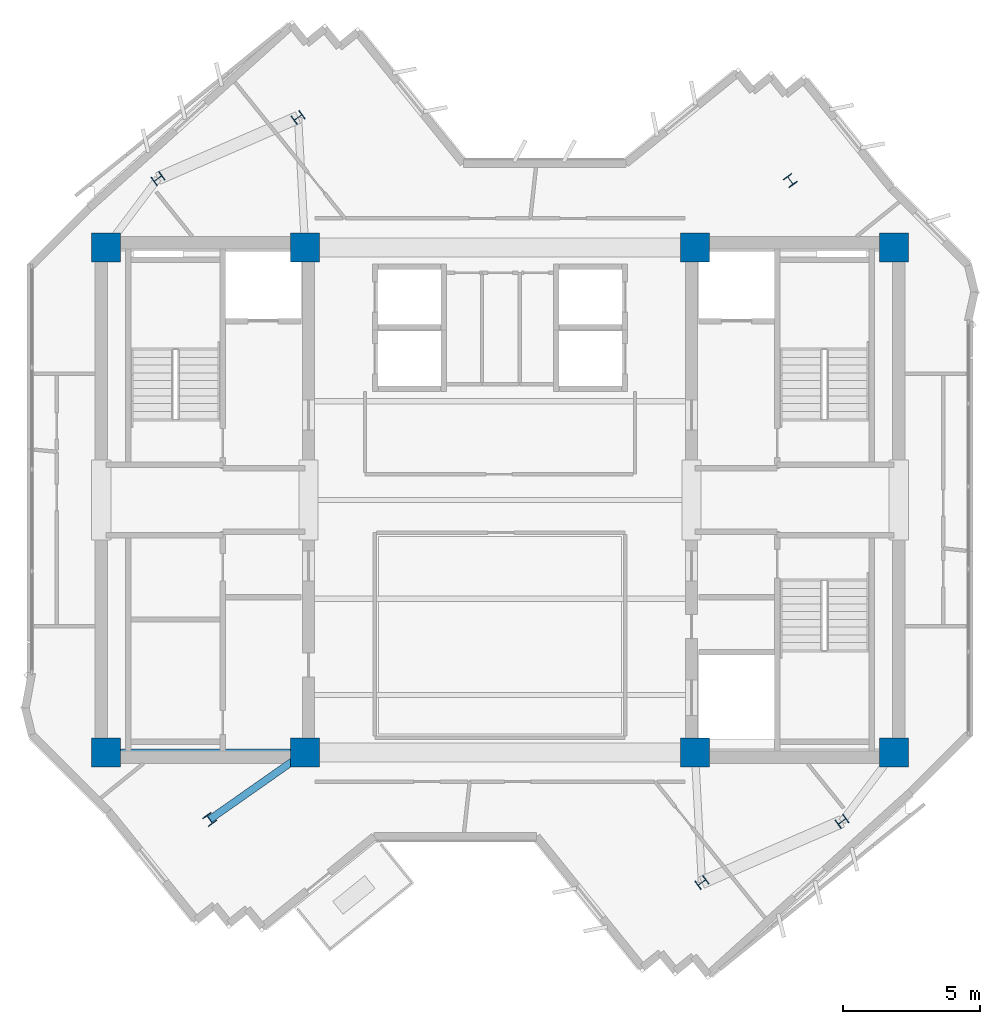
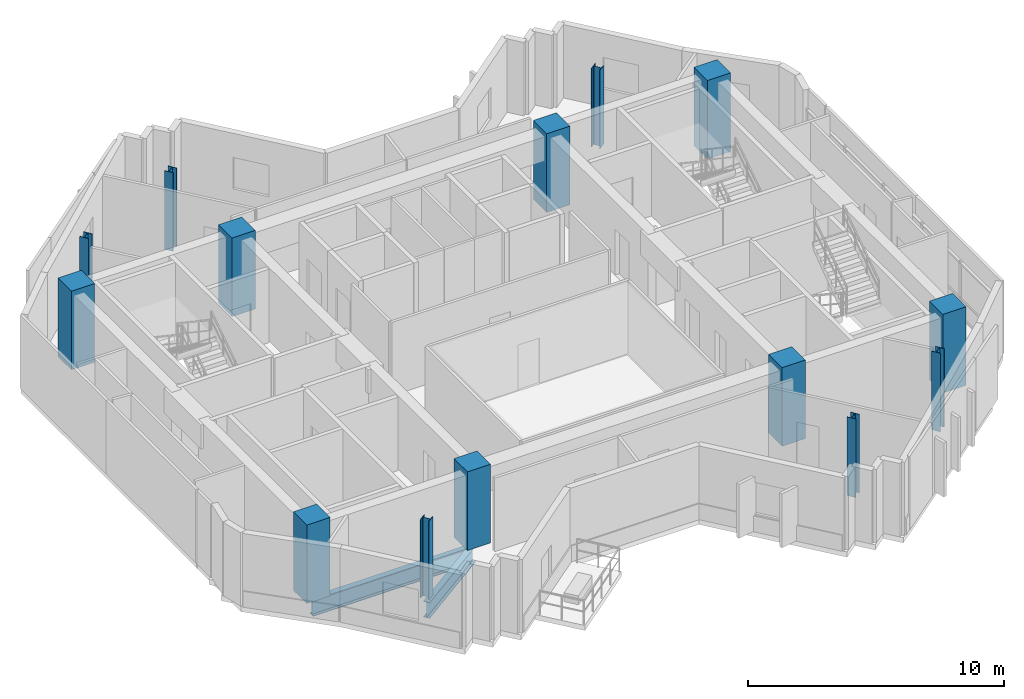
# One storey, part 1 of 11: 14 columns, 2 beams.
"""IFC4 building model written with IfcOpenShell, lengths in metres."""

from ifc_helpers import new_model, si_unit, direction, frame, origin, origin_2d, place, context, subcontext, project, spatial, rectangle, i_section, extrude, source, transform, mapped, material, material_profile, profile_set, type_object, element, save


model = new_model("IFC4")

# Units and contexts
model_context = context("Model", 3, precision=1e-05, world=origin(), true_north=direction((0.0, 1.0)))
body_context = subcontext(model_context, "Body", "Model", "MODEL_VIEW")
ifc_project = project(units=[si_unit("LENGTHUNIT", "METRE"), si_unit("AREAUNIT", "SQUARE_METRE"), si_unit("VOLUMEUNIT", "CUBIC_METRE"), si_unit("PLANEANGLEUNIT", "RADIAN"), si_unit("MASSUNIT", "GRAM", prefix="KILO")], contexts=[model_context])

# Site, building, storey
site_placement = place(None, origin())
site = spatial("IfcSite", under=ifc_project, at=site_placement, CompositionType="ELEMENT")
building_placement = place(site_placement, origin())
building = spatial("IfcBuilding", under=site, at=building_placement, Name="Zahravan Cultural Tower", CompositionType="ELEMENT")
storey_placement = place(building_placement, frame((0.0, 0.0, 284.10009765625)))
storey = spatial("IfcBuildingStorey", under=building, at=storey_placement, Name="L68", CompositionType="ELEMENT", Elevation=284.10009765625)

# Columns
ifc_material_1 = material(Name="Concrete C50/60", Category="concrete")
ifc_material_profile_1 = material_profile(ifc_material_1, rectangle(XDim=1.050048828125, YDim=1.050048828125, at=origin_2d()), Name="RC1050X1050")
ifc_profile_set_1 = profile_set([ifc_material_profile_1], Name="Concrete C50/60")
column_type_1 = type_object("IfcColumnType", Name="COL-RC1050", PredefinedType="COLUMN", material=ifc_profile_set_1)
shared_shape_1 = source(origin(), body_context, "Body", "SweptSolid", [
    extrude(rectangle(XDim=1.050048828125, YDim=1.050048828125, at=origin_2d()), origin(), (0.0, 0.0, 1.0), 3.75),
])
for number, where, z_axis, x_axis, name in (
    (1, (21.64990234375, 17.800048828125, 0.0), (0.0, 0.0, 1.0), (1.0, 0.0, 0.0), "L68 Column CC-W1"),
    (2, (28.89990234375, 17.800048828125, 0.0), (0.0, 0.0, 1.0), (1.0, 0.0, 0.0), "L68 Column CC-W2"),
    (3, (21.64990234375, 36.199951171875, 0.0), (0.0, 0.0, 1.0), (1.0, 0.0, 0.0), "L68 Column CC-W3"),
    (4, (28.89990234375, 36.199951171875, 0.0), (0.0, 0.0, 1.0), (1.0, 0.0, 0.0), "L68 Column CC-W4"),
    (5, (43.10009765625, 17.800048828125, 0.0), (0.0, 0.0, 1.0), (1.0, 0.0, 0.0), "L68 Column CC-E1"),
    (6, (50.35009765625, 17.800048828125, 0.0), (0.0, 0.0, 1.0), (1.0, 0.0, 0.0), "L68 Column CC-E2"),
    (7, (43.10009765625, 36.199951171875, 0.0), (0.0, 0.0, 1.0), (1.0, 0.0, 0.0), "L68 Column CC-E3"),
    (8, (50.35009765625, 36.199951171875, 0.0), (0.0, 0.0, 1.0), (1.0, 0.0, 0.0), "L68 Column CC-E4"),
):
    element("IfcColumn", number, at=place(storey_placement, frame(where, z_axis=z_axis, x_axis=x_axis)), inside=storey, type_object=column_type_1, Name=name, PredefinedType="COLUMN", context=body_context, shape_type="MappedRepresentation", body=[
        mapped(shared_shape_1, transform((0.0, 0.0, 0.0), x_axis=(1.0, 0.0, 0.0), y_axis=(0.0, 1.0, 0.0), z_axis=(0.0, 0.0, 1.0), scale=1.0)),
    ])
ifc_material_2 = material(Name="Steel ASTM A992 Grade 50", Category="steel")
ifc_material_profile_2 = material_profile(ifc_material_2, i_section(OverallWidth=0.3740234375, OverallDepth=0.3720703125, WebThickness=0.016357421875, FlangeThickness=0.026123046875, FilletRadius=0.01806640625, at=origin_2d()), Name="W14X132")
ifc_profile_set_2 = profile_set([ifc_material_profile_2], Name="Steel ASTM A992 Grade 50")
column_type_2 = type_object("IfcColumnType", Name="COL-W14X132", PredefinedType="COLUMN", material=ifc_profile_set_2)
shared_shape_2 = source(origin(), body_context, "Body", "SweptSolid", [
    extrude(i_section(OverallWidth=0.3740234375, OverallDepth=0.3720703125, WebThickness=0.016357421875, FlangeThickness=0.026123046875, FilletRadius=0.01806640625, at=origin_2d()), origin(), (0.0, 0.0, 1.0), 3.75),
])
for number, where, z_axis, x_axis, name in (
    (9, (46.577880859375, 38.640625, 0.0), (0.0, 0.0, 1.0), (0.809016994375, 0.587785252292, 0.0), "L68 Column Z3C-E2"),
    (10, (28.642578125, 40.937255859375, 0.0), (0.0, 0.0, 1.0), (-0.587785252292, 0.809016994375, 0.0), "L68 Column Z3C-N1"),
    (11, (23.536376953125, 38.710693359375, 0.0), (0.0, 0.0, 1.0), (-0.587785252292, 0.809016994375, 0.0), "L68 Column Z3C-N2"),
    (12, (25.422119140625, 15.359375, 0.0), (0.0, 0.0, 1.0), (0.809016994375, 0.587785252292, 0.0), "L68 Column Z3C-W2"),
    (13, (43.357421875, 13.062744140625, 0.0), (0.0, 0.0, 1.0), (-0.587785252292, 0.809016994375, 0.0), "L68 Column Z3C-S1"),
    (14, (48.463623046875, 15.289306640625, 0.0), (0.0, 0.0, 1.0), (-0.587785252292, 0.809016994375, 0.0), "L68 Column Z3C-S2"),
):
    element("IfcColumn", number, at=place(storey_placement, frame(where, z_axis=z_axis, x_axis=x_axis)), inside=storey, type_object=column_type_2, Name=name, PredefinedType="COLUMN", context=body_context, shape_type="MappedRepresentation", body=[
        mapped(shared_shape_2, transform((0.0, 0.0, 0.0), x_axis=(1.0, 0.0, 0.0), y_axis=(0.0, 1.0, 0.0), z_axis=(0.0, 0.0, 1.0), scale=1.0)),
    ])

# Beams
ifc_material_profile_3 = material_profile(ifc_material_2, i_section(OverallWidth=0.26611328125, OverallDepth=0.780029296875, WebThickness=0.0166015625, FlangeThickness=0.030029296875, FilletRadius=0.01904296875, at=origin_2d()), Name="W30X148")
ifc_profile_set_3 = profile_set([ifc_material_profile_3], Name="Steel ASTM A992 Grade 50")
beam_type_1 = type_object("IfcBeamType", Name="BM-G-W30X148", PredefinedType="BEAM", material=ifc_profile_set_3)
shared_shape_3 = source(origin(), body_context, "Body", "SweptSolid", [
    extrude(i_section(OverallWidth=0.26611328125, OverallDepth=0.780029296875, WebThickness=0.0166015625, FlangeThickness=0.030029296875, FilletRadius=0.01904296875, at=origin_2d()), origin(), (0.0, 0.0, 1.0), 7.25),
])
beam_1_placement = place(storey_placement, frame((21.64990234375, 17.800048828125, -0.64013671875), z_axis=(1.0, 0.0, 0.0), x_axis=(0.0, 1.0, 0.0)))
element("IfcBeam", 15, at=beam_1_placement, inside=storey, type_object=beam_type_1, Name="L68 Beam BG-L68-01", PredefinedType="BEAM", context=body_context, shape_type="MappedRepresentation", body=[
    mapped(shared_shape_3, transform((0.0, 0.0, 0.0), x_axis=(1.0, 0.0, 0.0), y_axis=(0.0, 1.0, 0.0), z_axis=(0.0, 0.0, 1.0), scale=1.0)),
])
ifc_material_profile_4 = material_profile(ifc_material_2, i_section(OverallWidth=0.26708984375, OverallDepth=0.761962890625, WebThickness=0.014404296875, FlangeThickness=0.021484375, FilletRadius=0.01904296875, at=origin_2d()), Name="W30X116")
ifc_profile_set_4 = profile_set([ifc_material_profile_4], Name="Steel ASTM A992 Grade 50")
beam_type_2 = type_object("IfcBeamType", Name="BM-G-W30X116", PredefinedType="BEAM", material=ifc_profile_set_4)
shared_shape_4 = source(origin(), body_context, "Body", "SweptSolid", [
    extrude(i_section(OverallWidth=0.26708984375, OverallDepth=0.761962890625, WebThickness=0.014404296875, FlangeThickness=0.021484375, FilletRadius=0.01904296875, at=origin_2d()), origin(), (0.0, 0.0, 1.0), 4.248779296875),
])
beam_2_placement = place(storey_placement, frame((28.89990234375, 17.800048828125, -0.631103515625), z_axis=(-0.81854294596, -0.574445337365, 0.0), x_axis=(0.574445337365, -0.81854294596, 0.0)))
element("IfcBeam", 16, at=beam_2_placement, inside=storey, type_object=beam_type_2, Name="L68 Beam BG-L68-07", PredefinedType="BEAM", context=body_context, shape_type="MappedRepresentation", body=[
    mapped(shared_shape_4, transform((0.0, 0.0, 0.0), x_axis=(1.0, 0.0, 0.0), y_axis=(0.0, 1.0, 0.0), z_axis=(0.0, 0.0, 1.0), scale=1.0)),
])

save(model, "model.ifc")
